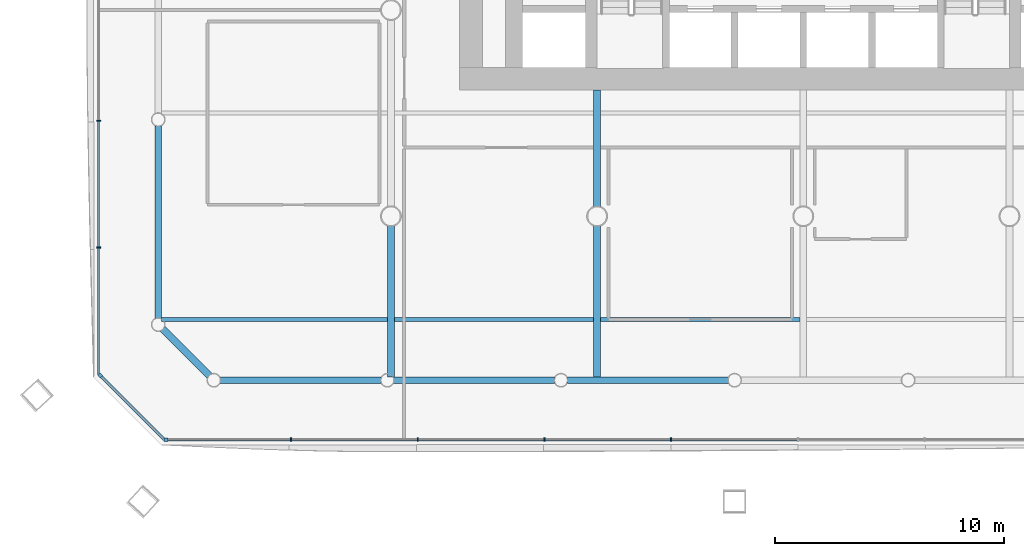
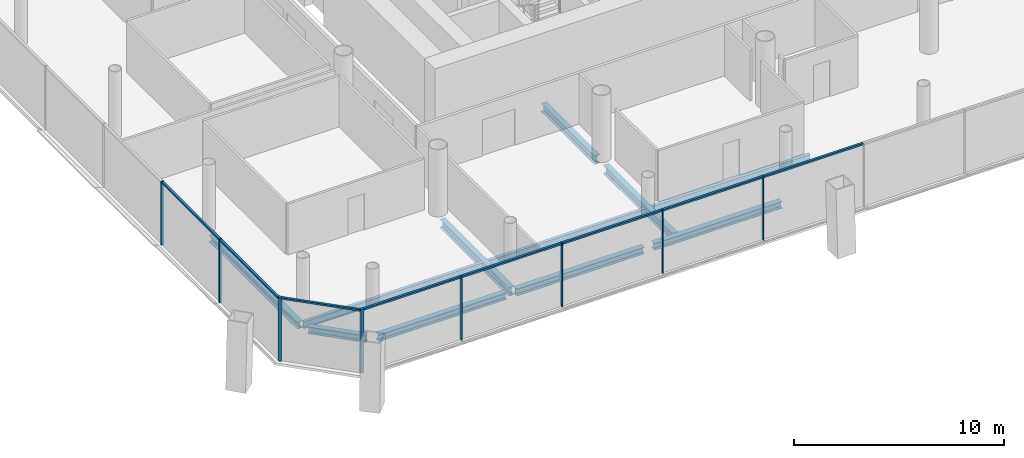
# One storey, part 3 of 22: 16 members, 11 beams, 3 elements without a shape of their own.
"""IFC4 building model written with IfcOpenShell, lengths in metres."""

from ifc_helpers import new_model, si_unit, direction, frame, origin, origin_2d, place, context, subcontext, project, spatial, rectangle, i_section, extrude, material, material_profile, profile_set, type_object, element, aggregate, save


model = new_model("IFC4")

# Units and contexts
model_context = context("Model", 3, precision=1e-05, world=origin(), true_north=direction((0.0, 1.0)))
body_context = subcontext(model_context, "Body", "Model", "MODEL_VIEW")
ifc_project = project(units=[si_unit("LENGTHUNIT", "METRE"), si_unit("AREAUNIT", "SQUARE_METRE"), si_unit("VOLUMEUNIT", "CUBIC_METRE"), si_unit("PLANEANGLEUNIT", "RADIAN"), si_unit("MASSUNIT", "GRAM", prefix="KILO")], contexts=[model_context])

# Site, building, storey
site_placement = place(None, origin())
site = spatial("IfcSite", under=ifc_project, at=site_placement, CompositionType="ELEMENT")
building_placement = place(site_placement, origin())
building = spatial("IfcBuilding", under=site, at=building_placement, Name="Tskaro Facet Tower", CompositionType="ELEMENT")
storey_placement = place(building_placement, frame((0.0, 0.0, 18.60009765625)))
storey = spatial("IfcBuildingStorey", under=building, at=storey_placement, Name="L03", CompositionType="ELEMENT", Elevation=18.60009765625)

# Curtain wall, member
ifc_material_1 = material(Name="Bronze anodised aluminium 6063-T6", Category="aluminium")
curtain_wall_type = type_object("IfcCurtainWallType", Name="Bronze office curtain wall (FW1)", PredefinedType="NOTDEFINED", material=ifc_material_1)
curtain_wall_1_placement = place(storey_placement, origin())
curtain_wall_1 = element("IfcCurtainWall", 1, at=curtain_wall_1_placement, inside=storey, type_object=curtain_wall_type, Name="FW1 south facet L03", PredefinedType="NOTDEFINED")
ifc_material_profile_1 = material_profile(ifc_material_1, rectangle(XDim=0.159912109375, YDim=0.159912109375, at=origin_2d()), Name="Corner post 160x160")
ifc_profile_set_1 = profile_set([ifc_material_profile_1], Name="Bronze anodised aluminium 6063-T6")
member_type_1 = type_object("IfcMemberType", Name="FW1 bronze corner post 160x160", PredefinedType="MULLION", material=ifc_profile_set_1)
member_1_placement = place(storey_placement, frame((-27.81591796875, -27.75, 0.0), z_axis=(0.0, 0.0, 1.0), x_axis=(1.0, 0.0, 0.0)))
member_1 = element("IfcMember", 2, at=member_1_placement, type_object=member_type_1, Name="FW1 south corner post", PredefinedType="MULLION", context=body_context, shape_type="SweptSolid", body=[
    extrude(rectangle(XDim=0.159912109375, YDim=0.159912109375, at=origin_2d()), origin(), (0.0, 0.0, 1.0), 3.699951171875),
])

curtain_wall_2_placement = place(storey_placement, origin())
curtain_wall_2 = element("IfcCurtainWall", 3, at=curtain_wall_2_placement, inside=storey, type_object=curtain_wall_type, Name="FW1 south-west facet L03", PredefinedType="NOTDEFINED")
member_2_placement = place(storey_placement, frame((-30.693359375, -24.95263671875, 0.0), z_axis=(0.0, 0.0, 1.0), x_axis=(0.707106781187, -0.707106781187, 0.0)))
member_2 = element("IfcMember", 4, at=member_2_placement, type_object=member_type_1, Name="FW1 south-west corner post", PredefinedType="MULLION", context=body_context, shape_type="SweptSolid", body=[
    extrude(rectangle(XDim=0.159912109375, YDim=0.159912109375, at=origin_2d()), origin(), (0.0, 0.0, 1.0), 3.699951171875),
])

# Member
ifc_material_profile_2 = material_profile(ifc_material_1, rectangle(XDim=0.06005859375, YDim=0.159912109375, at=origin_2d()), Name="Mullion 60x160")
ifc_profile_set_2 = profile_set([ifc_material_profile_2], Name="Bronze anodised aluminium 6063-T6")
member_type_2 = type_object("IfcMemberType", Name="FW1 bronze mullion 60x160", PredefinedType="MULLION", material=ifc_profile_set_2)
member_3_placement = place(storey_placement, frame((-22.363525390625, -27.75, 0.0), z_axis=(0.0, 0.0, 1.0), x_axis=(1.0, 0.0, 0.0)))
member_3 = element("IfcMember", 5, at=member_3_placement, type_object=member_type_2, Name="FW1 south mullion 1", PredefinedType="MULLION", context=body_context, shape_type="SweptSolid", body=[
    extrude(rectangle(XDim=0.06005859375, YDim=0.159912109375, at=origin_2d()), origin(), (0.0, 0.0, 1.0), 3.699951171875),
])

member_4_placement = place(storey_placement, frame((-16.8310546875, -27.75, 0.0), z_axis=(0.0, 0.0, 1.0), x_axis=(1.0, 0.0, 0.0)))
member_4 = element("IfcMember", 6, at=member_4_placement, type_object=member_type_2, Name="FW1 south mullion 2", PredefinedType="MULLION", context=body_context, shape_type="SweptSolid", body=[
    extrude(rectangle(XDim=0.06005859375, YDim=0.159912109375, at=origin_2d()), origin(), (0.0, 0.0, 1.0), 3.699951171875),
])

member_5_placement = place(storey_placement, frame((-11.298583984375, -27.75, 0.0), z_axis=(0.0, 0.0, 1.0), x_axis=(1.0, 0.0, 0.0)))
member_5 = element("IfcMember", 7, at=member_5_placement, type_object=member_type_2, Name="FW1 south mullion 3", PredefinedType="MULLION", context=body_context, shape_type="SweptSolid", body=[
    extrude(rectangle(XDim=0.06005859375, YDim=0.159912109375, at=origin_2d()), origin(), (0.0, 0.0, 1.0), 3.699951171875),
])

member_6_placement = place(storey_placement, frame((-5.76611328125, -27.75, 0.0), z_axis=(0.0, 0.0, 1.0), x_axis=(1.0, 0.0, 0.0)))
member_6 = element("IfcMember", 8, at=member_6_placement, type_object=member_type_2, Name="FW1 south mullion 4", PredefinedType="MULLION", context=body_context, shape_type="SweptSolid", body=[
    extrude(rectangle(XDim=0.06005859375, YDim=0.159912109375, at=origin_2d()), origin(), (0.0, 0.0, 1.0), 3.699951171875),
])

# Curtain wall, members
curtain_wall_3_placement = place(storey_placement, origin())
curtain_wall_3 = element("IfcCurtainWall", 9, at=curtain_wall_3_placement, inside=storey, type_object=curtain_wall_type, Name="FW1 west facet L03", PredefinedType="NOTDEFINED")
member_7_placement = place(storey_placement, frame((-30.75, -13.8310546875, 0.0), z_axis=(0.0, 0.0, 1.0), x_axis=(0.0, -1.0, 0.0)))
member_7 = element("IfcMember", 10, at=member_7_placement, type_object=member_type_2, Name="FW1 west mullion 7", PredefinedType="MULLION", context=body_context, shape_type="SweptSolid", body=[
    extrude(rectangle(XDim=0.06005859375, YDim=0.159912109375, at=origin_2d()), origin(), (0.0, 0.0, 1.0), 3.699951171875),
])
member_8_placement = place(storey_placement, frame((-30.75, -19.363525390625, 0.0), z_axis=(0.0, 0.0, 1.0), x_axis=(0.0, -1.0, 0.0)))
member_8 = element("IfcMember", 11, at=member_8_placement, type_object=member_type_2, Name="FW1 west mullion 8", PredefinedType="MULLION", context=body_context, shape_type="SweptSolid", body=[
    extrude(rectangle(XDim=0.06005859375, YDim=0.159912109375, at=origin_2d()), origin(), (0.0, 0.0, 1.0), 3.699951171875),
])

# Member
ifc_material_profile_3 = material_profile(ifc_material_1, rectangle(XDim=0.1201171875, YDim=0.10009765625, at=origin_2d()), Name="Transom 120x100")
ifc_profile_set_3 = profile_set([ifc_material_profile_3], Name="Bronze anodised aluminium 6063-T6")
member_type_3 = type_object("IfcMemberType", Name="FW1 bronze transom 120x100", PredefinedType="USERDEFINED", material=ifc_profile_set_3)
member_9_placement = place(storey_placement, frame((-27.736083984375, -27.75, 3.64990234375), z_axis=(1.0, 0.0, 0.0), x_axis=(0.0, 1.0, 0.0)))
member_9 = element("IfcMember", 12, at=member_9_placement, type_object=member_type_3, Name="FW1 south transom 1.1", ObjectType="TRANSOM", PredefinedType="USERDEFINED", context=body_context, shape_type="SweptSolid", body=[
    extrude(rectangle(XDim=0.1201171875, YDim=0.10009765625, at=origin_2d()), origin(), (0.0, 0.0, 1.0), 5.342529296875),
])

member_10_placement = place(storey_placement, frame((-22.33349609375, -27.75, 3.64990234375), z_axis=(1.0, 0.0, 0.0), x_axis=(0.0, 1.0, 0.0)))
member_10 = element("IfcMember", 13, at=member_10_placement, type_object=member_type_3, Name="FW1 south transom 2.1", ObjectType="TRANSOM", PredefinedType="USERDEFINED", context=body_context, shape_type="SweptSolid", body=[
    extrude(rectangle(XDim=0.1201171875, YDim=0.10009765625, at=origin_2d()), origin(), (0.0, 0.0, 1.0), 5.472412109375),
])

member_11_placement = place(storey_placement, frame((-16.801025390625, -27.75, 3.64990234375), z_axis=(1.0, 0.0, 0.0), x_axis=(0.0, 1.0, 0.0)))
member_11 = element("IfcMember", 14, at=member_11_placement, type_object=member_type_3, Name="FW1 south transom 3.1", ObjectType="TRANSOM", PredefinedType="USERDEFINED", context=body_context, shape_type="SweptSolid", body=[
    extrude(rectangle(XDim=0.1201171875, YDim=0.10009765625, at=origin_2d()), origin(), (0.0, 0.0, 1.0), 5.472412109375),
])

member_12_placement = place(storey_placement, frame((-11.2685546875, -27.75, 3.64990234375), z_axis=(1.0, 0.0, 0.0), x_axis=(0.0, 1.0, 0.0)))
member_12 = element("IfcMember", 15, at=member_12_placement, type_object=member_type_3, Name="FW1 south transom 4.1", ObjectType="TRANSOM", PredefinedType="USERDEFINED", context=body_context, shape_type="SweptSolid", body=[
    extrude(rectangle(XDim=0.1201171875, YDim=0.10009765625, at=origin_2d()), origin(), (0.0, 0.0, 1.0), 5.472412109375),
])

member_13_placement = place(storey_placement, frame((-5.736328125, -27.75, 3.64990234375), z_axis=(1.0, 0.0, 0.0), x_axis=(0.0, 1.0, 0.0)))
member_13 = element("IfcMember", 16, at=member_13_placement, type_object=member_type_3, Name="FW1 south transom 5.1", ObjectType="TRANSOM", PredefinedType="USERDEFINED", context=body_context, shape_type="SweptSolid", body=[
    extrude(rectangle(XDim=0.1201171875, YDim=0.10009765625, at=origin_2d()), origin(), (0.0, 0.0, 1.0), 5.47265625),
])

aggregate(curtain_wall_1, [member_1, member_3, member_4, member_5, member_6, member_9, member_10, member_11, member_12, member_13])

member_14_placement = place(storey_placement, frame((-30.75, -13.861083984375, 3.64990234375), z_axis=(0.0, -1.0, 0.0), x_axis=(1.0, 0.0, 0.0)))
member_14 = element("IfcMember", 17, at=member_14_placement, type_object=member_type_3, Name="FW1 west transom 8.1", ObjectType="TRANSOM", PredefinedType="USERDEFINED", context=body_context, shape_type="SweptSolid", body=[
    extrude(rectangle(XDim=0.1201171875, YDim=0.10009765625, at=origin_2d()), origin(), (0.0, 0.0, 1.0), 5.472412109375),
])

member_15_placement = place(storey_placement, frame((-30.75, -19.3935546875, 3.64990234375), z_axis=(0.0, -1.0, 0.0), x_axis=(1.0, 0.0, 0.0)))
member_15 = element("IfcMember", 18, at=member_15_placement, type_object=member_type_3, Name="FW1 west transom 9.1", ObjectType="TRANSOM", PredefinedType="USERDEFINED", context=body_context, shape_type="SweptSolid", body=[
    extrude(rectangle(XDim=0.1201171875, YDim=0.10009765625, at=origin_2d()), origin(), (0.0, 0.0, 1.0), 5.50244140625),
])

aggregate(curtain_wall_3, [member_7, member_8, member_14, member_15])

member_16_placement = place(storey_placement, frame((-30.636962890625, -25.009033203125, 3.64990234375), z_axis=(0.707106781187, -0.707106781187, 0.0), x_axis=(0.707106781187, 0.707106781187, 0.0)))
member_16 = element("IfcMember", 19, at=member_16_placement, type_object=member_type_3, Name="FW1 south-west transom 1.1", ObjectType="TRANSOM", PredefinedType="USERDEFINED", context=body_context, shape_type="SweptSolid", body=[
    extrude(rectangle(XDim=0.1201171875, YDim=0.10009765625, at=origin_2d()), origin(), (0.0, 0.0, 1.0), 3.876220703125),
])

aggregate(curtain_wall_2, [member_2, member_16])

# Beams
ifc_material_2 = material(Name="Steel S355J2", Category="steel")
ifc_material_profile_4 = material_profile(ifc_material_2, i_section(OverallWidth=0.300048828125, OverallDepth=0.39990234375, WebThickness=0.013427734375, FlangeThickness=0.02392578125, FilletRadius=0.027099609375, at=origin_2d()), Name="HE 400 B")
ifc_profile_set_4 = profile_set([ifc_material_profile_4], Name="Steel S355J2")
beam_type_1 = type_object("IfcBeamType", Name="HE 400 B ring beam", PredefinedType="BEAM", material=ifc_profile_set_4)
beam_1_placement = place(storey_placement, frame((-25.4541015625, -25.156982421875, -0.340087890625), z_axis=(1.0, 0.0, 0.0), x_axis=(0.0, 1.0, 0.0)))
element("IfcBeam", 20, at=beam_1_placement, inside=storey, type_object=beam_type_1, Name="HE 400 B EB1-1", PredefinedType="BEAM", context=body_context, shape_type="SweptSolid", body=[
    extrude(i_section(OverallWidth=0.300048828125, OverallDepth=0.39990234375, WebThickness=0.013427734375, FlangeThickness=0.02392578125, FilletRadius=0.027099609375, at=origin_2d()), origin(), (0.0, 0.0, 1.0), 7.026123046875),
])
beam_2_placement = place(storey_placement, frame((-17.8779296875, -25.156982421875, -0.340087890625), z_axis=(1.0, 0.0, 0.0), x_axis=(0.0, 1.0, 0.0)))
element("IfcBeam", 21, at=beam_2_placement, inside=storey, type_object=beam_type_1, Name="HE 400 B EB2-1", PredefinedType="BEAM", context=body_context, shape_type="SweptSolid", body=[
    extrude(i_section(OverallWidth=0.300048828125, OverallDepth=0.39990234375, WebThickness=0.013427734375, FlangeThickness=0.02392578125, FilletRadius=0.027099609375, at=origin_2d()), origin(), (0.0, 0.0, 1.0), 7.02685546875),
])
beam_3_placement = place(storey_placement, frame((-10.301025390625, -25.156982421875, -0.340087890625), z_axis=(1.0, 0.0, 0.0), x_axis=(0.0, 1.0, 0.0)))
element("IfcBeam", 22, at=beam_3_placement, inside=storey, type_object=beam_type_1, Name="HE 400 B EB3-1", PredefinedType="BEAM", context=body_context, shape_type="SweptSolid", body=[
    extrude(i_section(OverallWidth=0.300048828125, OverallDepth=0.39990234375, WebThickness=0.013427734375, FlangeThickness=0.02392578125, FilletRadius=0.027099609375, at=origin_2d()), origin(), (0.0, 0.0, 1.0), 7.026123046875),
])
beam_4_placement = place(storey_placement, frame((-28.156982421875, -14.055908203125, -0.340087890625), z_axis=(0.0, -1.0, 0.0), x_axis=(1.0, 0.0, 0.0)))
element("IfcBeam", 23, at=beam_4_placement, inside=storey, type_object=beam_type_1, Name="HE 400 B EB24-1", PredefinedType="BEAM", context=body_context, shape_type="SweptSolid", body=[
    extrude(i_section(OverallWidth=0.300048828125, OverallDepth=0.39990234375, WebThickness=0.013427734375, FlangeThickness=0.02392578125, FilletRadius=0.027099609375, at=origin_2d()), origin(), (0.0, 0.0, 1.0), 8.398193359375),
])
beam_5_placement = place(storey_placement, frame((-27.962646484375, -22.92333984375, -0.340087890625), z_axis=(0.707106781187, -0.707106781187, 0.0), x_axis=(0.707106781187, 0.707106781187, 0.0)))
element("IfcBeam", 24, at=beam_5_placement, inside=storey, type_object=beam_type_1, Name="HE 400 B EB25-1", PredefinedType="BEAM", context=body_context, shape_type="SweptSolid", body=[
    extrude(i_section(OverallWidth=0.300048828125, OverallDepth=0.39990234375, WebThickness=0.013427734375, FlangeThickness=0.02392578125, FilletRadius=0.027099609375, at=origin_2d()), origin(), (0.0, 0.0, 1.0), 2.884033203125),
])
ifc_material_profile_5 = material_profile(ifc_material_2, i_section(OverallWidth=0.300048828125, OverallDepth=0.489990234375, WebThickness=0.011962890625, FlangeThickness=0.02294921875, FilletRadius=0.027099609375, at=origin_2d()), Name="HE 500 A")
ifc_profile_set_5 = profile_set([ifc_material_profile_5], Name="Steel S355J2")
beam_type_2 = type_object("IfcBeamType", Name="HE 500 A girder", PredefinedType="BEAM", material=ifc_profile_set_5)
for number, where, z_axis, x_axis, name in (
    (25, (-18.0, -25.007080078125, -0.385009765625), (0.0, 1.0, 0.0), (-1.0, 0.0, 0.0), "HE 500 A GB2-1-1"),
    (26, (-9.0, -25.007080078125, -0.385009765625), (0.0, 1.0, 0.0), (-1.0, 0.0, 0.0), "HE 500 A GB3-1-1"),
):
    element("IfcBeam", number, at=place(storey_placement, frame(where, z_axis=z_axis, x_axis=x_axis)), inside=storey, type_object=beam_type_2, Name=name, PredefinedType="BEAM", context=body_context, shape_type="SweptSolid", body=[
        extrude(i_section(OverallWidth=0.300048828125, OverallDepth=0.489990234375, WebThickness=0.011962890625, FlangeThickness=0.02294921875, FilletRadius=0.027099609375, at=origin_2d()), origin(), (0.0, 0.0, 1.0), 6.579833984375),
    ])
beam_6_placement = place(storey_placement, frame((-9.0, -17.57275390625, -0.385009765625), z_axis=(0.0, 1.0, 0.0), x_axis=(-1.0, 0.0, 0.0)))
element("IfcBeam", 27, at=beam_6_placement, inside=storey, type_object=beam_type_2, Name="HE 500 A GB3-2-1", PredefinedType="BEAM", context=body_context, shape_type="SweptSolid", body=[
    extrude(i_section(OverallWidth=0.300048828125, OverallDepth=0.489990234375, WebThickness=0.011962890625, FlangeThickness=0.02294921875, FilletRadius=0.027099609375, at=origin_2d()), origin(), (0.0, 0.0, 1.0), 5.07275390625),
])
ifc_material_profile_6 = material_profile(ifc_material_2, i_section(OverallWidth=0.179931640625, OverallDepth=0.39990234375, WebThickness=0.008544921875, FlangeThickness=0.013427734375, FilletRadius=0.02099609375, at=origin_2d()), Name="IPE 400")
ifc_profile_set_6 = profile_set([ifc_material_profile_6], Name="Steel S355J2")
beam_type_3 = type_object("IfcBeamType", Name="IPE 400 secondary beam", PredefinedType="BEAM", material=ifc_profile_set_6)
beam_7_placement = place(storey_placement, frame((-28.007080078125, -22.5, -0.340087890625), z_axis=(1.0, 0.0, 0.0), x_axis=(0.0, 1.0, 0.0)))
element("IfcBeam", 28, at=beam_7_placement, inside=storey, type_object=beam_type_3, Name="IPE 400 SB1a-1-1", PredefinedType="BEAM", context=body_context, shape_type="SweptSolid", body=[
    extrude(i_section(OverallWidth=0.179931640625, OverallDepth=0.39990234375, WebThickness=0.008544921875, FlangeThickness=0.013427734375, FilletRadius=0.02099609375, at=origin_2d()), origin(), (0.0, 0.0, 1.0), 9.857177734375),
])
for number, where, z_axis, x_axis, name in (
    (29, (-17.85009765625, -22.5, -0.340087890625), (1.0, 0.0, 0.0), (0.0, 1.0, 0.0), "IPE 400 SB1a-2-1"),
    (30, (-8.85009765625, -22.5, -0.340087890625), (1.0, 0.0, 0.0), (0.0, 1.0, 0.0), "IPE 400 SB1a-3-1"),
):
    element("IfcBeam", number, at=place(storey_placement, frame(where, z_axis=z_axis, x_axis=x_axis)), inside=storey, type_object=beam_type_3, Name=name, PredefinedType="BEAM", context=body_context, shape_type="SweptSolid", body=[
        extrude(i_section(OverallWidth=0.179931640625, OverallDepth=0.39990234375, WebThickness=0.008544921875, FlangeThickness=0.013427734375, FilletRadius=0.02099609375, at=origin_2d()), origin(), (0.0, 0.0, 1.0), 8.7001953125),
    ])

save(model, "model.ifc")
